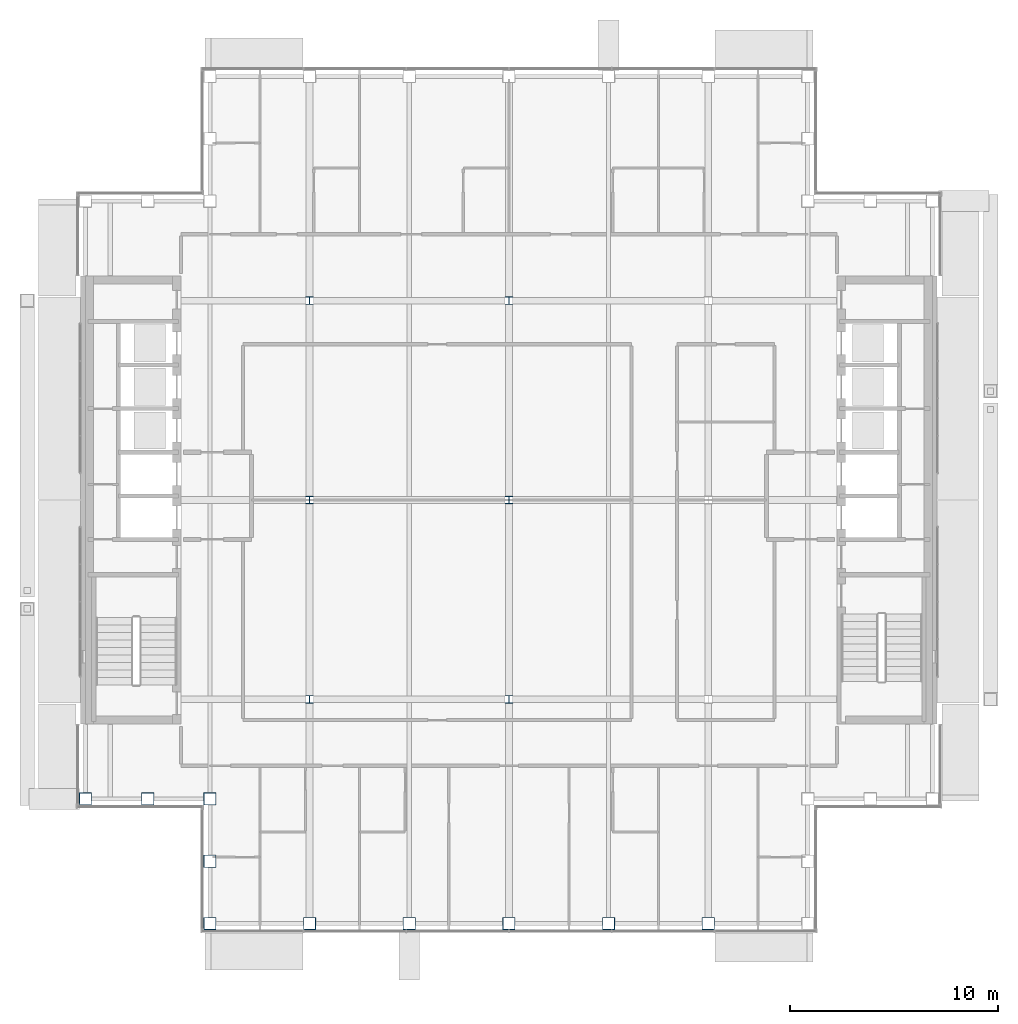
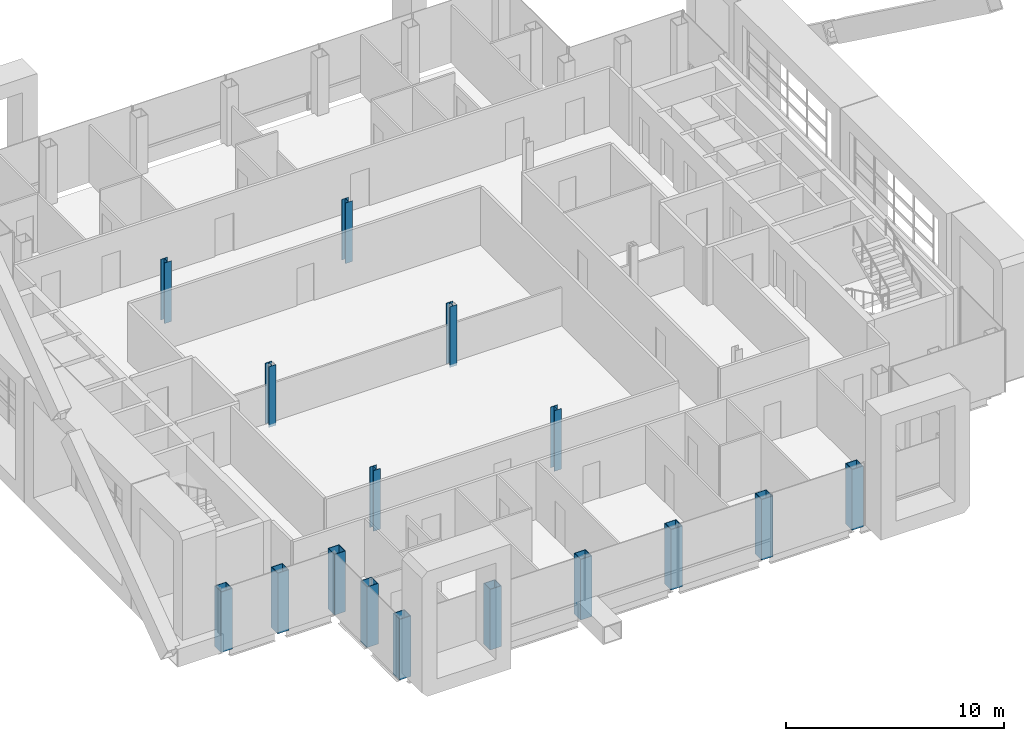
# One storey, part 1 of 23: 16 columns.
"""IFC4 building model written with IfcOpenShell, lengths in metres."""

from ifc_helpers import new_model, si_unit, direction, frame, origin, origin_2d, place, context, subcontext, project, spatial, hollow_rectangle, i_section, extrude, material, material_profile, profile_set, type_object, element, save


model = new_model("IFC4")

# Units and contexts
model_context = context("Model", 3, precision=1e-05, world=origin(), true_north=direction((0.0, 1.0)))
body_context = subcontext(model_context, "Body", "Model", "MODEL_VIEW")
ifc_project = project(units=[si_unit("LENGTHUNIT", "METRE"), si_unit("AREAUNIT", "SQUARE_METRE"), si_unit("VOLUMEUNIT", "CUBIC_METRE"), si_unit("PLANEANGLEUNIT", "RADIAN"), si_unit("MASSUNIT", "GRAM", prefix="KILO")], contexts=[model_context])

# Site, building, storey
site_placement = place(None, origin())
site = spatial("IfcSite", under=ifc_project, at=site_placement, CompositionType="ELEMENT")
building_placement = place(site_placement, origin())
building = spatial("IfcBuilding", under=site, at=building_placement, Name="Cobrizo Arcos Hotel Tower", CompositionType="ELEMENT")
storey_placement = place(building_placement, frame((0.0, 0.0, 262.0)))
storey = spatial("IfcBuildingStorey", under=building, at=storey_placement, Name="L69", CompositionType="ELEMENT", Elevation=262.0)

# Columns
ifc_material_1 = material(Name="Steel ASTM A572 Grade 50", Category="steel")
ifc_material_profile_1 = material_profile(ifc_material_1, hollow_rectangle(XDim=0.60009765625, YDim=0.60009765625, WallThickness=0.030029296875, at=origin_2d()), Name="BOX 600X600X30")
ifc_profile_set_1 = profile_set([ifc_material_profile_1], Name="Steel ASTM A572 Grade 50")
column_type_1 = type_object("IfcColumnType", Name="BOX 600X600X30 column", PredefinedType="COLUMN", material=ifc_profile_set_1)
for number, where, z_axis, x_axis, name in (
    (1, (-14.39990234375, -20.39990234375, -0.14990234375), (0.0, 0.0, 1.0), (1.0, 0.0, 0.0), "Perimeter column C12, L69, no. 01"),
    (2, (-9.60009765625, -20.39990234375, -0.14990234375), (0.0, 0.0, 1.0), (1.0, 0.0, 0.0), "Perimeter column C12, L69, no. 03"),
    (3, (-4.800048828125, -20.39990234375, -0.14990234375), (0.0, 0.0, 1.0), (1.0, 0.0, 0.0), "Perimeter column C12, L69, no. 05"),
    (4, (0.0, -20.39990234375, -0.14990234375), (0.0, 0.0, 1.0), (1.0, 0.0, 0.0), "Perimeter column C12, L69, no. 07"),
    (5, (4.800048828125, -20.39990234375, -0.14990234375), (0.0, 0.0, 1.0), (1.0, 0.0, 0.0), "Perimeter column C12, L69, no. 09"),
    (6, (9.60009765625, -20.39990234375, -0.14990234375), (0.0, 0.0, 1.0), (1.0, 0.0, 0.0), "Perimeter column C12, L69, no. 11"),
    (7, (-20.39990234375, -14.39990234375, -0.14990234375), (0.0, 0.0, 1.0), (1.0, 0.0, 0.0), "Perimeter column C12, L69, no. 15"),
    (8, (-14.39990234375, -14.39990234375, -0.14990234375), (0.0, 0.0, 1.0), (1.0, 0.0, 0.0), "Perimeter column C12, L69, no. 18"),
    (9, (-14.39990234375, -17.39990234375, -0.14990234375), (0.0, 0.0, 1.0), (1.0, 0.0, 0.0), "Perimeter column C12, L69, no. 19"),
    (10, (-17.39990234375, -14.39990234375, -0.14990234375), (0.0, 0.0, 1.0), (1.0, 0.0, 0.0), "Perimeter column C12, L69, no. 20"),
):
    element("IfcColumn", number, at=place(storey_placement, frame(where, z_axis=z_axis, x_axis=x_axis)), inside=storey, type_object=column_type_1, Name=name, PredefinedType="COLUMN", context=body_context, shape_type="SweptSolid", body=[
        extrude(hollow_rectangle(XDim=0.60009765625, YDim=0.60009765625, WallThickness=0.030029296875, at=origin_2d()), origin(), (0.0, 0.0, 1.0), 3.39990234375),
    ])
ifc_material_2 = material(Name="Steel ASTM A992 Grade 50", Category="steel")
ifc_material_profile_2 = material_profile(ifc_material_2, i_section(OverallWidth=0.368408203125, OverallDepth=0.355712890625, WebThickness=0.01123046875, FlangeThickness=0.01806640625, at=origin_2d()), Name="W14X90")
ifc_profile_set_2 = profile_set([ifc_material_profile_2], Name="Steel ASTM A992 Grade 50")
column_type_2 = type_object("IfcColumnType", Name="W14X90 interior column", PredefinedType="COLUMN", material=ifc_profile_set_2)
for number, where, z_axis, x_axis, name in (
    (11, (-9.60009765625, -9.60009765625, -0.14990234375), (0.0, 0.0, 1.0), (1.0, 0.0, 0.0), "Interior column C13, L69, no. 00"),
    (12, (-9.60009765625, 0.0, -0.14990234375), (0.0, 0.0, 1.0), (1.0, 0.0, 0.0), "Interior column C13, L69, no. 01"),
    (13, (-9.60009765625, 9.60009765625, -0.14990234375), (0.0, 0.0, 1.0), (1.0, 0.0, 0.0), "Interior column C13, L69, no. 02"),
    (14, (0.0, -9.60009765625, -0.14990234375), (0.0, 0.0, 1.0), (1.0, 0.0, 0.0), "Interior column C13, L69, no. 03"),
    (15, (0.0, 0.0, -0.14990234375), (0.0, 0.0, 1.0), (1.0, 0.0, 0.0), "Interior column C13, L69, no. 04"),
    (16, (0.0, 9.60009765625, -0.14990234375), (0.0, 0.0, 1.0), (1.0, 0.0, 0.0), "Interior column C13, L69, no. 05"),
):
    element("IfcColumn", number, at=place(storey_placement, frame(where, z_axis=z_axis, x_axis=x_axis)), inside=storey, type_object=column_type_2, Name=name, PredefinedType="COLUMN", context=body_context, shape_type="SweptSolid", body=[
        extrude(i_section(OverallWidth=0.368408203125, OverallDepth=0.355712890625, WebThickness=0.01123046875, FlangeThickness=0.01806640625, at=origin_2d()), origin(), (0.0, 0.0, 1.0), 3.39990234375),
    ])

save(model, "model.ifc")
